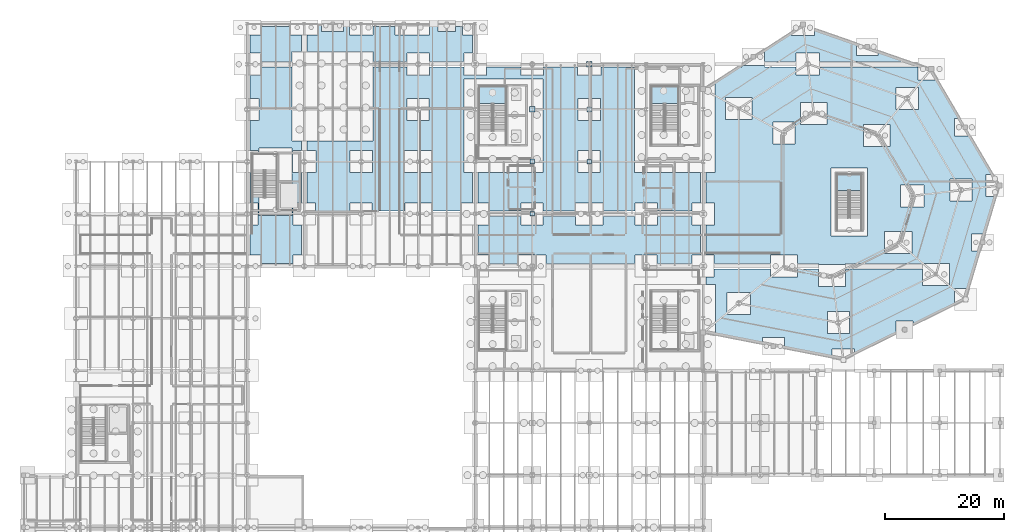
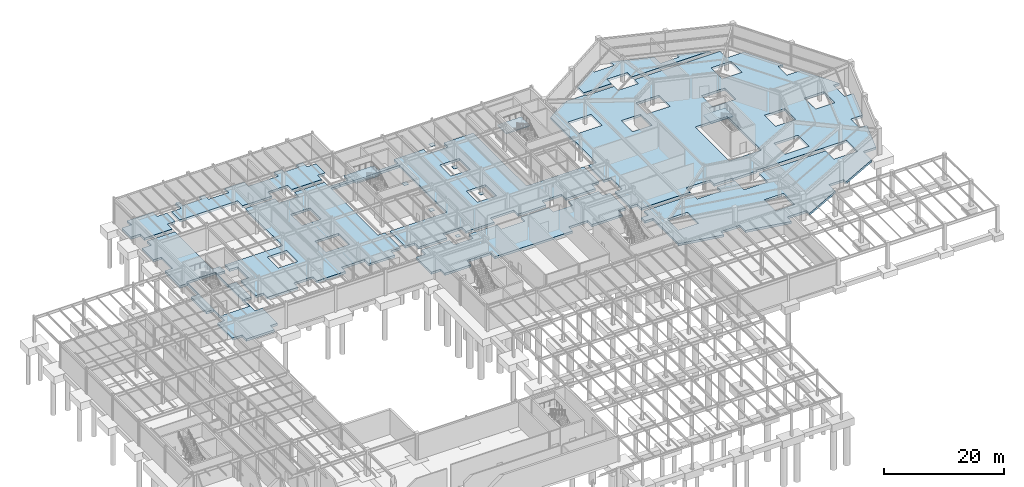
# One storey, part 25 of 48: 11 slabs, 6 plates, 3 elements without a shape of their own.
"""IFC4 building model written with IfcOpenShell, lengths in metres."""

import ifcopenshell
import ifcopenshell.guid

model = None  # the IFC model being written
_history = None  # IfcOwnerHistory: only IFC2X3 demands one
_inside = {}  # id of a spatial element -> (the spatial element, [elements in it])
_under = {}  # id of a project, library or spatial element -> (it, [spatial elements below it])
_declared = {}  # id of a project -> (the project, [libraries it declares])
_typed = {}  # id of a type object -> (the type object, [elements of that type])
_made_of = {}  # id of a material, layer set ... -> (it, [elements and type objects made of it])


def new_model(schema):
    """Start an empty IFC model of exactly this schema.

    Asked for "IFC4X3", IfcOpenShell would pick the latest addendum, in which some entities
    have other attributes; the version numbers below select the first issue.
    IFC2X3 requires an IfcOwnerHistory on every rooted entity: one is made here for all.
    """
    global model, _history
    if schema == "IFC4X3":
        model = ifcopenshell.file(schema_version=(4, 3, 0, 0))
    else:
        model = ifcopenshell.file(schema=schema)
    _inside.clear()
    _under.clear()
    _declared.clear()
    _typed.clear()
    _made_of.clear()
    _history = None
    if model.schema == "IFC2X3":
        org = make("IfcOrganization", Name="unknown")
        user = make(
            "IfcPersonAndOrganization",
            ThePerson=make("IfcPerson", FamilyName="unknown"),
            TheOrganization=org,
        )
        app = make(
            "IfcApplication",
            ApplicationDeveloper=org,
            Version="unknown",
            ApplicationFullName="unknown",
            ApplicationIdentifier="unknown",
        )
        _history = make(
            "IfcOwnerHistory",
            OwningUser=user,
            OwningApplication=app,
            ChangeAction="ADDED",
            CreationDate=0,
        )
    return model


def make(cls, **values):
    """One entity of the class cls with the attributes given. An attribute that is None is left unset."""
    return model.create_entity(
        cls, **{name: value for name, value in values.items() if value is not None}
    )


def rooted(cls, **values):
    """An entity with a GlobalId (a new one), such as an element, a storey or a relation."""
    return make(cls, GlobalId=ifcopenshell.guid.new(), OwnerHistory=_history, **values)


def si_unit(unit_type, name, prefix=None):
    """IfcSIUnit, for example si_unit("LENGTHUNIT", "METRE", prefix="MILLI")."""
    return make("IfcSIUnit", UnitType=unit_type, Prefix=prefix, Name=name)


def assignment(units):
    """IfcUnitAssignment: the units of a project."""
    return None if units is None else make("IfcUnitAssignment", Units=units)


def point(xyz):
    """IfcCartesianPoint."""
    return None if xyz is None else make("IfcCartesianPoint", Coordinates=xyz)


def direction(xyz):
    """IfcDirection."""
    return None if xyz is None else make("IfcDirection", DirectionRatios=xyz)


def frame(location, z_axis=None, x_axis=None):
    """IfcAxis2Placement3D, a coordinate frame: its origin and axes. An axis left out is left unset."""
    return make(
        "IfcAxis2Placement3D",
        Location=point(location),
        Axis=direction(z_axis),
        RefDirection=direction(x_axis),
    )


def frame_2d(location, x_axis=None):
    """IfcAxis2Placement2D, a coordinate frame in the plane: its origin and x axis."""
    return make(
        "IfcAxis2Placement2D", Location=point(location), RefDirection=direction(x_axis)
    )


def origin():
    """The frame at (0, 0, 0) with its axes left unset."""
    return frame((0.0, 0.0, 0.0))


def origin_2d():
    """The frame at (0, 0) in the plane with its x axis left unset."""
    return frame_2d((0.0, 0.0))


def place(relative_to, where):
    """IfcLocalPlacement: puts the frame where relative to a parent placement (None: the world)."""
    return make(
        "IfcLocalPlacement", PlacementRelTo=relative_to, RelativePlacement=where
    )


def context(
    kind, dimensions, precision=None, world=None, true_north=None, identifier=None
):
    """IfcGeometricRepresentationContext, for example the 3D "Model" context."""
    return make(
        "IfcGeometricRepresentationContext",
        ContextIdentifier=identifier,
        ContextType=kind,
        CoordinateSpaceDimension=dimensions,
        Precision=precision,
        WorldCoordinateSystem=world,
        TrueNorth=true_north,
    )


def subcontext(parent, identifier, kind, view, scale=None):
    """IfcGeometricRepresentationSubContext, for example "Body" below "Model"."""
    return make(
        "IfcGeometricRepresentationSubContext",
        ContextIdentifier=identifier,
        ContextType=kind,
        ParentContext=parent,
        TargetScale=scale,
        TargetView=view,
    )


def project(units=None, contexts=None):
    """IfcProject with its units and contexts."""
    return rooted(
        "IfcProject",
        Name="project",
        RepresentationContexts=contexts,
        UnitsInContext=assignment(units),
    )


def spatial(cls, under=None, at=None, **own):
    """A site, building, storey or space (cls), placed at a placement, below another one or the project."""
    s = rooted(cls, ObjectPlacement=at, **own)
    if under is not None:
        _under.setdefault(under.id(), (under, []))[1].append(s)
    return s


def polyline(points):
    """IfcPolyline through the points."""
    return make("IfcPolyline", Points=[point(p) for p in points])


def profile(cls, at=None, kind="AREA", **sizes):
    """A parametric profile (cls). Its sizes go by their IFC names, for example OverallWidth=200.0."""
    return make(cls, ProfileType=kind, Position=at, **sizes)


def rectangle(**sizes):
    """IfcRectangleProfileDef."""
    return profile("IfcRectangleProfileDef", **sizes)


def outline(outer, holes=None, kind="AREA"):
    """IfcArbitraryClosedProfileDef: a profile drawn as a closed curve; with holes, ...WithVoids."""
    if holes is None:
        return make("IfcArbitraryClosedProfileDef", ProfileType=kind, OuterCurve=outer)
    return make(
        "IfcArbitraryProfileDefWithVoids",
        ProfileType=kind,
        OuterCurve=outer,
        InnerCurves=holes,
    )


def extrude(swept, where, along, depth):
    """IfcExtrudedAreaSolid: the profile swept, set in the frame where, extruded along a direction by depth."""
    return make(
        "IfcExtrudedAreaSolid",
        SweptArea=swept,
        Position=where,
        ExtrudedDirection=direction(along),
        Depth=depth,
    )


def shape(context_of_items, identifier, shape_type, items):
    """IfcShapeRepresentation: the items that make up one representation, for example the "Body"."""
    return make(
        "IfcShapeRepresentation",
        ContextOfItems=context_of_items,
        RepresentationIdentifier=identifier,
        RepresentationType=shape_type,
        Items=items,
    )


def material(Name=None, Category=None):
    """IfcMaterial."""
    return make("IfcMaterial", Name=Name, Category=Category)


def layer(
    of_material, thickness, ventilated=None, Name=None, Category=None, Priority=None
):
    """IfcMaterialLayer: one layer of a wall or slab, of a material (None: an air gap)."""
    return make(
        "IfcMaterialLayer",
        Material=of_material,
        LayerThickness=thickness,
        IsVentilated=ventilated,
        Name=Name,
        Category=Category,
        Priority=Priority,
    )


def layer_set(layers, Name=None):
    """IfcMaterialLayerSet."""
    return make("IfcMaterialLayerSet", MaterialLayers=layers, LayerSetName=Name)


def made_of(thing, what):
    """Note that an element or type object is made of a material, layer set ...; save() writes the relation."""
    if what is not None:
        _made_of.setdefault(what.id(), (what, []))[1].append(thing)
    return thing


def type_object(cls, material=None, **own):
    """A type object (cls), such as IfcWallType, which elements share."""
    return made_of(rooted(cls, **own), material)


def element(
    cls,
    number,
    at=None,
    inside=None,
    cuts=None,
    type_object=None,
    material=None,
    context=None,
    identifier="Body",
    shape_type=None,
    held_by="IfcProductDefinitionShape",
    body=None,
    shapes=None,
    **own,
):
    """One element of the class cls, such as IfcWall. Its Tag is "e" and its number.

    at: its placement. inside: the storey or other place that contains it. cuts: it is an
    opening in that element (IfcRelVoidsElement). A single representation is given by context,
    identifier, shape_type and body (its items); several are given by shapes. held_by: the class
    of the entity that holds the representations. save() writes the other relations.
    """
    e = rooted(cls, Tag="e%d" % number, ObjectPlacement=at, **own)
    if body is not None:
        shapes = [shape(context, identifier, shape_type, body)]
    if shapes is not None:
        e.Representation = make(held_by, Representations=shapes)
    if inside is not None:
        _inside.setdefault(inside.id(), (inside, []))[1].append(e)
    if cuts is not None:
        rooted(
            "IfcRelVoidsElement", RelatingBuildingElement=cuts, RelatedOpeningElement=e
        )
    if type_object is not None:
        _typed.setdefault(type_object.id(), (type_object, []))[1].append(e)
    return made_of(e, material)


def aggregate(whole, parts):
    """IfcRelAggregates: a whole, such as a stair, and the parts it consists of."""
    return rooted("IfcRelAggregates", RelatingObject=whole, RelatedObjects=parts)


def save(model, path):
    """Write the relations noted so far, then the file.

    IfcRelAggregates (storeys below a building ...), IfcRelContainedInSpatialStructure (elements
    in a storey), IfcRelDefinesByType, IfcRelAssociatesMaterial and IfcRelDeclares: one each for
    every whole, place, type object, material and project.
    """
    for whole, parts in _under.values():
        aggregate(whole, parts)
    for where, things in _inside.values():
        rooted(
            "IfcRelContainedInSpatialStructure",
            RelatedElements=things,
            RelatingStructure=where,
        )
    for kind, things in _typed.values():
        rooted("IfcRelDefinesByType", RelatedObjects=things, RelatingType=kind)
    for what, things in _made_of.values():
        rooted("IfcRelAssociatesMaterial", RelatedObjects=things, RelatingMaterial=what)
    for by, libraries in _declared.values():
        rooted("IfcRelDeclares", RelatingContext=by, RelatedDefinitions=libraries)
    model.write(path)


model = new_model("IFC4")

# Units and contexts
model_context = context("Model", 3, precision=1e-05, world=origin(), true_north=direction((0.0, 1.0)))
body_context = subcontext(model_context, "Body", "Model", "MODEL_VIEW")
ifc_project = project(units=[si_unit("LENGTHUNIT", "METRE"), si_unit("AREAUNIT", "SQUARE_METRE"), si_unit("VOLUMEUNIT", "CUBIC_METRE"), si_unit("PLANEANGLEUNIT", "RADIAN"), si_unit("MASSUNIT", "GRAM", prefix="KILO")], contexts=[model_context])

# Site, building, storey
site_placement = place(None, origin())
site = spatial("IfcSite", under=ifc_project, at=site_placement, CompositionType="ELEMENT")
building_placement = place(site_placement, origin())
building = spatial("IfcBuilding", under=site, at=building_placement, Name="Sarnbrook Museum", CompositionType="ELEMENT")
storey_placement = place(building_placement, frame((0.0, 0.0, -5.39990234375)))
storey = spatial("IfcBuildingStorey", under=building, at=storey_placement, Name="B1", CompositionType="ELEMENT", Elevation=-5.39990234375)

# Slabs
ifc_material_1 = material(Name="Concrete N40 (AS 3600, f'c = 40 MPa)", Category="concrete")
ifc_layer_1 = layer(ifc_material_1, 0.449951171875)
ifc_layer_set_1 = layer_set([ifc_layer_1], Name="Concrete N40 (AS 3600, f'c = 40 MPa)")
slab_type_1 = type_object("IfcSlabType", Name="BaseSlab_450", PredefinedType="BASESLAB", material=ifc_layer_set_1)
slab_1_placement = place(storey_placement, frame((0.0, 0.0, -0.4501953125)))
element("IfcSlab", 1, at=slab_1_placement, inside=storey, type_object=slab_type_1, Name="V2 Structural Slab B1", PredefinedType="BASESLAB", context=body_context, shape_type="SweptSolid", body=[
    extrude(outline(polyline([(82.705078125, 106.544921875), (82.705078125, 107.945068359375), (88.4951171875, 107.945068359375), (88.4951171875, 106.544921875), (92.304931640625, 106.544921875), (92.304931640625, 107.945068359375), (98.044921875, 107.945068359375), (98.044921875, 106.544921875), (101.955078125, 106.544921875), (101.955078125, 107.945068359375), (107.64501953125, 107.945068359375), (107.64501953125, 90.14501953125), (118.7451171875, 90.14501953125), (118.7451171875, 85.054931640625), (117.294921875, 85.054931640625), (117.294921875, 83.655029296875), (111.5048828125, 83.655029296875), (111.5048828125, 85.054931640625), (107.695068359375, 85.054931640625), (107.695068359375, 83.655029296875), (102.304931640625, 83.655029296875), (102.304931640625, 85.054931640625), (97.695068359375, 85.054931640625), (97.695068359375, 83.655029296875), (92.2548828125, 83.655029296875), (92.2548828125, 85.054931640625), (88.544921875, 85.054931640625), (88.544921875, 83.655029296875), (83.10498046875, 83.655029296875), (83.10498046875, 85.054931640625), (81.2548828125, 85.054931640625), (81.2548828125, 90.14501953125), (92.2548828125, 90.14501953125), (92.2548828125, 105.905029296875), (80.8349609375, 105.905029296875), (80.8349609375, 106.544921875), (82.705078125, 106.544921875)]), holes=[polyline([(101.85498046875, 90.14501953125), (98.14501953125, 90.14501953125), (98.14501953125, 93.85498046875), (101.85498046875, 93.85498046875), (101.85498046875, 90.14501953125)]), polyline([(101.905029296875, 98.945068359375), (98.094970703125, 98.945068359375), (98.094970703125, 102.655029296875), (101.905029296875, 102.655029296875), (101.905029296875, 98.945068359375)])]), origin(), (0.0, 0.0, 1.0), 0.4501953125),
])
slab_2_placement = place(storey_placement, frame((0.0, 0.0, -0.4501953125)))
element("IfcSlab", 2, at=slab_2_placement, inside=storey, type_object=slab_type_1, Name="V2 Structural Slab B1 Bay 3", PredefinedType="BASESLAB", context=body_context, shape_type="SweptSolid", body=[
    extrude(outline(polyline([(97.695068359375, 82.7451171875), (97.695068359375, 81.344970703125), (102.304931640625, 81.344970703125), (102.304931640625, 82.7451171875), (107.695068359375, 82.7451171875), (107.695068359375, 81.344970703125), (111.5048828125, 81.344970703125), (111.5048828125, 82.7451171875), (117.294921875, 82.7451171875), (117.294921875, 81.344970703125), (118.7451171875, 81.344970703125), (118.7451171875, 76.2548828125), (117.344970703125, 76.2548828125), (117.344970703125, 74.85498046875), (111.455078125, 74.85498046875), (111.455078125, 76.2548828125), (107.7451171875, 76.2548828125), (107.7451171875, 74.85498046875), (92.705078125, 74.85498046875), (92.705078125, 76.2548828125), (88.094970703125, 76.2548828125), (88.094970703125, 74.85498046875), (83.054931640625, 74.85498046875), (83.054931640625, 76.2548828125), (81.2548828125, 76.2548828125), (81.2548828125, 81.344970703125), (83.10498046875, 81.344970703125), (83.10498046875, 82.7451171875), (88.544921875, 82.7451171875), (88.544921875, 81.344970703125), (92.2548828125, 81.344970703125), (92.2548828125, 82.7451171875), (97.695068359375, 82.7451171875)])), origin(), (0.0, 0.0, 1.0), 0.4501953125),
])
ifc_layer_2 = layer(ifc_material_1, 0.4599609375)
ifc_layer_set_2 = layer_set([ifc_layer_2], Name="Concrete N40 (AS 3600, f'c = 40 MPa)")
slab_type_2 = type_object("IfcSlabType", Name="BaseSlab_460", PredefinedType="BASESLAB", material=ifc_layer_set_2)
slab_3_placement = place(storey_placement, frame((0.0, 0.0, -0.460205078125)))
element("IfcSlab", 3, at=slab_3_placement, inside=storey, type_object=slab_type_2, Name="V1 Structural Slab B1", PredefinedType="BASESLAB", context=body_context, shape_type="SweptSolid", body=[
    extrude(outline(polyline([(162.496337890625, 99.2548828125), (161.544921875, 99.2548828125), (161.544921875, 96.344970703125), (164.20361328125, 96.344970703125), (168.01171875, 89.85498046875), (166.794921875, 89.85498046875), (166.794921875, 86.14501953125), (168.54931640625, 86.14501953125), (166.681884765625, 79.85498046875), (164.39501953125, 79.85498046875), (164.39501953125, 76.945068359375), (165.818115234375, 76.945068359375), (163.95068359375, 70.655029296875), (161.4951171875, 70.655029296875), (161.4951171875, 67.856689453125), (154.554931640625, 64.42041015625), (154.554931640625, 65.155029296875), (151.64501953125, 65.155029296875), (151.64501953125, 62.9794921875), (144.705078125, 59.543212890625), (144.705078125, 60.455078125), (140.89501953125, 60.455078125), (140.89501953125, 58.97119140625), (132.85498046875, 60.538330078125), (132.85498046875, 62.35498046875), (129.14501953125, 62.35498046875), (129.14501953125, 61.26171875), (121.2548828125, 62.79931640625), (121.2548828125, 71.304931640625), (119.655029296875, 71.304931640625), (119.655029296875, 72.544921875), (121.054931640625, 72.544921875), (121.054931640625, 73.945068359375), (130.4951171875, 73.945068359375), (130.4951171875, 72.550048828125), (135.10498046875, 72.550048828125), (135.10498046875, 73.945068359375), (138.58203125, 73.945068359375), (138.58203125, 70.97412109375), (143.19189453125, 70.97412109375), (143.19189453125, 73.945068359375), (156.087890625, 73.945068359375), (156.087890625, 71.160888671875), (160.697998046875, 71.160888671875), (160.697998046875, 74.87109375), (156.087890625, 74.87109375), (156.087890625, 74.85498046875), (143.181884765625, 74.85498046875), (143.181884765625, 74.68408203125), (138.592041015625, 74.68408203125), (138.592041015625, 74.85498046875), (135.10498046875, 74.85498046875), (135.10498046875, 76.260009765625), (130.4951171875, 76.260009765625), (130.4951171875, 74.85498046875), (121.054931640625, 74.85498046875), (121.054931640625, 76.2548828125), (119.655029296875, 76.2548828125), (119.655029296875, 81.344970703125), (121.10498046875, 81.344970703125), (121.10498046875, 85.054931640625), (119.655029296875, 85.054931640625), (119.655029296875, 90.14501953125), (121.155029296875, 90.14501953125), (121.155029296875, 105.468505859375), (124.97216796875, 107.945068359375), (125.705078125, 107.945068359375), (125.705078125, 108.195068359375), (129.4951171875, 108.195068359375), (129.4951171875, 107.945068359375), (134.84912109375, 107.945068359375), (134.84912109375, 106.614013671875), (138.759033203125, 106.614013671875), (138.759033203125, 107.945068359375), (155.344970703125, 107.945068359375), (155.344970703125, 105.7451171875), (158.6884765625, 105.7451171875), (162.496337890625, 99.2548828125)]), holes=[polyline([(143.81103515625, 66.73193359375), (143.81103515625, 63.02197265625), (140.10107421875, 63.02197265625), (140.10107421875, 66.73193359375), (143.81103515625, 66.73193359375)]), polyline([(127.155029296875, 66.2880859375), (123.2451171875, 66.2880859375), (123.2451171875, 69.998046875), (127.155029296875, 69.998046875), (127.155029296875, 66.2880859375)]), polyline([(146.905029296875, 79.4951171875), (140.695068359375, 79.4951171875), (140.695068359375, 90.905029296875), (146.905029296875, 90.905029296875), (146.905029296875, 79.4951171875)]), polyline([(130.945068359375, 94.95703125), (130.945068359375, 98.6669921875), (134.655029296875, 98.6669921875), (134.655029296875, 94.95703125), (130.945068359375, 94.95703125)]), polyline([(140.076904296875, 98.216064453125), (135.56689453125, 98.216064453125), (135.56689453125, 101.926025390625), (140.076904296875, 101.926025390625), (140.076904296875, 98.216064453125)]), polyline([(127.455078125, 99.0859375), (122.945068359375, 99.0859375), (122.945068359375, 102.7958984375), (127.455078125, 102.7958984375), (127.455078125, 99.0859375)]), polyline([(154.35498046875, 76.5009765625), (149.7451171875, 76.5009765625), (149.7451171875, 80.2109375), (154.35498046875, 80.2109375), (154.35498046875, 76.5009765625)]), polyline([(156.3369140625, 84.35498046875), (152.427001953125, 84.35498046875), (152.427001953125, 88.06494140625), (156.3369140625, 88.06494140625), (156.3369140625, 84.35498046875)]), polyline([(164.4619140625, 89.06494140625), (164.4619140625, 85.35498046875), (160.751953125, 85.35498046875), (160.751953125, 89.06494140625), (164.4619140625, 89.06494140625)]), polyline([(146.15087890625, 94.541015625), (146.15087890625, 98.2509765625), (150.660888671875, 98.2509765625), (150.660888671875, 94.541015625), (146.15087890625, 94.541015625)]), polyline([(155.448974609375, 100.802001953125), (151.638916015625, 100.802001953125), (151.638916015625, 104.511962890625), (155.448974609375, 104.511962890625), (155.448974609375, 100.802001953125)])]), origin(), (0.0, 0.0, 1.0), 0.460205078125),
])
slab_4_placement = place(storey_placement, frame((0.0, 0.0, -0.460205078125)))
element("IfcSlab", 4, at=slab_4_placement, inside=storey, type_object=slab_type_2, Name="V1 Structural Slab B1 Bay 2", PredefinedType="BASESLAB", context=body_context, shape_type="SweptSolid", body=[
    extrude(outline(polyline([(144.9951171875, 111.976806640625), (144.9951171875, 109.89501953125), (148.60498046875, 109.89501953125), (148.60498046875, 110.723388671875), (153.985595703125, 108.85498046875), (138.759033203125, 108.85498046875), (138.759033203125, 110.323974609375), (134.84912109375, 110.323974609375), (134.84912109375, 108.85498046875), (129.5048828125, 108.85498046875), (129.5048828125, 110.885986328125), (134.094970703125, 113.864013671875), (134.094970703125, 113.2451171875), (137.905029296875, 113.2451171875), (137.905029296875, 114.4384765625), (144.9951171875, 111.976806640625)])), origin(), (0.0, 0.0, 1.0), 0.460205078125),
])
ifc_layer_3 = layer(ifc_material_1, 0.469970703125)
ifc_layer_set_3 = layer_set([ifc_layer_3], Name="Concrete N40 (AS 3600, f'c = 40 MPa)")
slab_type_3 = type_object("IfcSlabType", Name="BaseSlab_470", PredefinedType="BASESLAB", material=ifc_layer_set_3)
slab_5_placement = place(storey_placement, frame((0.0, 0.0, -0.47021484375)))
element("IfcSlab", 5, at=slab_5_placement, inside=storey, type_object=slab_type_3, Name="V5N Structural Slab B1", PredefinedType="BASESLAB", context=body_context, shape_type="SweptSolid", body=[
    extrude(outline(polyline([(44.655029296875, 107.945068359375), (49.9951171875, 107.945068359375), (49.9951171875, 95.445068359375), (51.544921875, 95.445068359375), (51.544921875, 93.85498046875), (50.044921875, 93.85498046875), (50.044921875, 90.14501953125), (51.544921875, 90.14501953125), (51.544921875, 85.054931640625), (50.094970703125, 85.054931640625), (50.094970703125, 81.344970703125), (51.544921875, 81.344970703125), (51.544921875, 76.2548828125), (50.14501953125, 76.2548828125), (50.14501953125, 74.85498046875), (44.705078125, 74.85498046875), (44.705078125, 76.2548828125), (42.85498046875, 76.2548828125), (42.85498046875, 81.344970703125), (44.2548828125, 81.344970703125), (44.2548828125, 85.054931640625), (42.85498046875, 85.054931640625), (42.85498046875, 90.14501953125), (44.304931640625, 90.14501953125), (44.304931640625, 93.85498046875), (42.85498046875, 93.85498046875), (42.85498046875, 98.945068359375), (44.35498046875, 98.945068359375), (44.35498046875, 102.655029296875), (42.85498046875, 102.655029296875), (42.85498046875, 106.544921875), (44.655029296875, 106.544921875), (44.655029296875, 107.945068359375)]), holes=[polyline([(44.35498046875, 94.304931640625), (49.9951171875, 94.304931640625), (49.9951171875, 93.9951171875), (49.905029296875, 93.9951171875), (49.905029296875, 90.0048828125), (49.9951171875, 90.0048828125), (49.9951171875, 85.195068359375), (49.955078125, 85.195068359375), (49.955078125, 82.89501953125), (44.39501953125, 82.89501953125), (44.39501953125, 85.195068359375), (44.35498046875, 85.195068359375), (44.35498046875, 90.0048828125), (44.445068359375, 90.0048828125), (44.445068359375, 93.9951171875), (44.35498046875, 93.9951171875), (44.35498046875, 94.304931640625)])]), origin(), (0.0, 0.0, 1.0), 0.47021484375),
])
slab_6_placement = place(storey_placement, frame((0.0, 0.0, -0.47021484375)))
element("IfcSlab", 6, at=slab_6_placement, inside=storey, type_object=slab_type_3, Name="V5N Structural Slab B1 Bay 2", PredefinedType="BASESLAB", context=body_context, shape_type="SweptSolid", body=[
    extrude(outline(polyline([(44.705078125, 114.7451171875), (49.695068359375, 114.7451171875), (49.695068359375, 113.344970703125), (51.544921875, 113.344970703125), (51.544921875, 110.5048828125), (49.9951171875, 110.5048828125), (49.9951171875, 108.85498046875), (44.655029296875, 108.85498046875), (44.655029296875, 110.2548828125), (42.85498046875, 110.2548828125), (42.85498046875, 113.344970703125), (44.705078125, 113.344970703125), (44.705078125, 114.7451171875)])), origin(), (0.0, 0.0, 1.0), 0.47021484375),
])
slab_7_placement = place(storey_placement, frame((0.0, 0.0, -0.47021484375)))
element("IfcSlab", 7, at=slab_7_placement, inside=storey, type_object=slab_type_3, Name="V5N Structural Slab B1 Bay 4", PredefinedType="BASESLAB", context=body_context, shape_type="SweptSolid", body=[
    extrude(outline(polyline([(78.945068359375, 105.905029296875), (78.945068359375, 90.14501953125), (80.344970703125, 90.14501953125), (80.344970703125, 85.054931640625), (78.4951171875, 85.054931640625), (78.4951171875, 83.655029296875), (73.455078125, 83.655029296875), (73.455078125, 85.054931640625), (68.945068359375, 85.054931640625), (68.945068359375, 83.655029296875), (63.455078125, 83.655029296875), (63.455078125, 85.054931640625), (59.7451171875, 85.054931640625), (59.7451171875, 83.655029296875), (53.905029296875, 83.655029296875), (53.905029296875, 85.054931640625), (52.455078125, 85.054931640625), (52.455078125, 90.14501953125), (53.955078125, 90.14501953125), (53.955078125, 93.85498046875), (52.455078125, 93.85498046875), (52.455078125, 95.445068359375), (63.60498046875, 95.445068359375), (63.60498046875, 107.945068359375), (69.294921875, 107.945068359375), (69.294921875, 106.544921875), (73.10498046875, 106.544921875), (73.10498046875, 107.945068359375), (78.89501953125, 107.945068359375), (78.89501953125, 106.544921875), (80.764892578125, 106.544921875), (80.764892578125, 105.905029296875), (78.945068359375, 105.905029296875)]), holes=[polyline([(63.5048828125, 90.14501953125), (59.695068359375, 90.14501953125), (59.695068359375, 93.85498046875), (63.5048828125, 93.85498046875), (63.5048828125, 90.14501953125)]), polyline([(68.89501953125, 93.85498046875), (73.5048828125, 93.85498046875), (73.5048828125, 90.14501953125), (68.89501953125, 90.14501953125), (68.89501953125, 93.85498046875)]), polyline([(69.344970703125, 98.945068359375), (69.344970703125, 102.655029296875), (73.054931640625, 102.655029296875), (73.054931640625, 98.945068359375), (69.344970703125, 98.945068359375)])]), origin(), (0.0, 0.0, 1.0), 0.47021484375),
])
slab_8_placement = place(storey_placement, frame((0.0, 0.0, -0.47021484375)))
element("IfcSlab", 8, at=slab_8_placement, inside=storey, type_object=slab_type_3, Name="V5N Structural Slab B1 Bay 5", PredefinedType="BASESLAB", context=body_context, shape_type="SweptSolid", body=[
    extrude(outline(polyline([(54.945068359375, 113.925048828125), (58.655029296875, 113.925048828125), (58.655029296875, 114.7451171875), (59.64501953125, 114.7451171875), (59.64501953125, 113.344970703125), (63.554931640625, 113.344970703125), (63.554931640625, 114.7451171875), (67.294921875, 114.7451171875), (67.294921875, 113.344970703125), (73.10498046875, 113.344970703125), (73.10498046875, 114.7451171875), (74.544921875, 114.7451171875), (74.544921875, 113.925048828125), (77.455078125, 113.925048828125), (77.455078125, 114.7451171875), (78.64501953125, 114.7451171875), (78.64501953125, 113.344970703125), (80.344970703125, 113.344970703125), (80.344970703125, 110.2548828125), (78.89501953125, 110.2548828125), (78.89501953125, 108.85498046875), (73.10498046875, 108.85498046875), (73.10498046875, 110.2548828125), (69.294921875, 110.2548828125), (69.294921875, 108.85498046875), (63.60498046875, 108.85498046875), (63.60498046875, 110.5048828125), (52.455078125, 110.5048828125), (52.455078125, 113.344970703125), (54.304931640625, 113.344970703125), (54.304931640625, 115.199951171875), (54.945068359375, 115.199951171875), (54.945068359375, 113.925048828125)])), origin(), (0.0, 0.0, 1.0), 0.47021484375),
])

# Stair, slab
stair_type_1 = type_object("IfcStairType", Name="Stair_ST01", PredefinedType="HALF_TURN_STAIR", material=ifc_material_1)
stair_1_placement = place(storey_placement, origin())
stair_1 = element("IfcStair", 9, at=stair_1_placement, inside=storey, type_object=stair_type_1, Name="B1 Exit Stair ST2", PredefinedType="HALF_TURN_STAIR")
ifc_layer_4 = layer(ifc_material_1, 0.199951171875)
ifc_layer_set_4 = layer_set([ifc_layer_4], Name="Concrete N40 (AS 3600, f'c = 40 MPa)")
slab_type_4 = type_object("IfcSlabType", Name="Landing_200", PredefinedType="LANDING", material=ifc_layer_set_4)
slab_9_placement = place(storey_placement, frame((0.0, 0.0, 2.5)))
slab_9 = element("IfcSlab", 10, at=slab_9_placement, type_object=slab_type_4, Name="ST2 landing 1", PredefinedType="LANDING", context=body_context, shape_type="SweptSolid", body=[
    extrude(outline(polyline([(115.06005859375, 101.760009765625), (115.06005859375, 104.699951171875), (110.43994140625, 104.699951171875), (110.43994140625, 101.760009765625), (115.06005859375, 101.760009765625)])), origin(), (0.0, 0.0, 1.0), 0.199951171875),
])
aggregate(stair_1, [slab_9])

stair_2_placement = place(storey_placement, origin())
stair_2 = element("IfcStair", 11, at=stair_2_placement, inside=storey, type_object=stair_type_1, Name="B1 Exit Stair ST4", PredefinedType="HALF_TURN_STAIR")
slab_10_placement = place(storey_placement, frame((0.0, 0.0, 2.5)))
slab_10 = element("IfcSlab", 12, at=slab_10_placement, type_object=slab_type_4, Name="ST4 landing 1", PredefinedType="LANDING", context=body_context, shape_type="SweptSolid", body=[
    extrude(outline(polyline([(86.06005859375, 101.760009765625), (86.06005859375, 104.699951171875), (81.43994140625, 104.699951171875), (81.43994140625, 101.760009765625), (86.06005859375, 101.760009765625)])), origin(), (0.0, 0.0, 1.0), 0.199951171875),
])
aggregate(stair_2, [slab_10])

stair_type_2 = type_object("IfcStairType", Name="Stair_ST05", PredefinedType="HALF_TURN_STAIR", material=ifc_material_1)
stair_3_placement = place(storey_placement, origin())
stair_3 = element("IfcStair", 13, at=stair_3_placement, inside=storey, type_object=stair_type_2, Name="B1 Exit Stair ST7", PredefinedType="HALF_TURN_STAIR")
slab_11_placement = place(storey_placement, frame((0.0, 0.0, 2.5)))
slab_11 = element("IfcSlab", 14, at=slab_11_placement, type_object=slab_type_4, Name="ST7 landing 1", PredefinedType="LANDING", context=body_context, shape_type="SweptSolid", body=[
    extrude(outline(polyline([(145.89990234375, 87.159912109375), (145.89990234375, 89.89990234375), (141.699951171875, 89.89990234375), (141.699951171875, 87.159912109375), (145.89990234375, 87.159912109375)])), origin(), (0.0, 0.0, 1.0), 0.199951171875),
])
aggregate(stair_3, [slab_11])

# Plates
ifc_material_2 = material(Name="Structural Steel Grade 350L0 (AS/NZS 3678, fy = 340 MPa for 20 < t <= 40 mm)", Category="steel")
ifc_layer_5 = layer(ifc_material_2, 0.0380859375)
ifc_layer_set_5 = layer_set([ifc_layer_5], Name="Structural Steel Grade 350L0 (AS/NZS 3678, fy = 340 MPa for 20 < t <= 40 mm)")
plate_type_1 = type_object("IfcPlateType", Name="SheetPlate_BP4", PredefinedType="SHEET", material=ifc_layer_set_5)
for number, where, z_axis, x_axis, name in (
    (15, (90.39990234375, 83.199951171875, -0.000244140625), (0.0, 0.0, 1.0), (1.0, 0.0, 0.0), "Column Base Plate 10-K"),
    (16, (100.0, 92.0, -0.000244140625), (0.0, 0.0, 1.0), (1.0, 0.0, 0.0), "Column Base Plate 11-L"),
):
    element("IfcPlate", number, at=place(storey_placement, frame(where, z_axis=z_axis, x_axis=x_axis)), inside=storey, type_object=plate_type_1, Name=name, PredefinedType="SHEET", context=body_context, shape_type="SweptSolid", body=[
        extrude(rectangle(XDim=0.75, YDim=0.75, at=origin_2d()), origin(), (0.0, 0.0, 1.0), 0.0380859375),
    ])
ifc_layer_6 = layer(ifc_material_2, 0.0400390625)
ifc_layer_set_6 = layer_set([ifc_layer_6], Name="Structural Steel Grade 350L0 (AS/NZS 3678, fy = 340 MPa for 20 < t <= 40 mm)")
plate_type_2 = type_object("IfcPlateType", Name="SheetPlate_BP5", PredefinedType="SHEET", material=ifc_layer_set_6)
for number, where, z_axis, x_axis, name in (
    (17, (90.39990234375, 92.0, 0.0), (0.0, 0.0, 1.0), (1.0, 0.0, 0.0), "Column Base Plate 10-L"),
    (18, (100.0, 100.800048828125, 0.0), (0.0, 0.0, 1.0), (1.0, 0.0, 0.0), "Column Base Plate 11-M"),
):
    element("IfcPlate", number, at=place(storey_placement, frame(where, z_axis=z_axis, x_axis=x_axis)), inside=storey, type_object=plate_type_2, Name=name, PredefinedType="SHEET", context=body_context, shape_type="SweptSolid", body=[
        extrude(rectangle(XDim=0.820068359375, YDim=0.820068359375, at=origin_2d()), origin(), (0.0, 0.0, 1.0), 0.0400390625),
    ])
ifc_layer_7 = layer(ifc_material_2, 0.0400390625)
ifc_layer_set_7 = layer_set([ifc_layer_7], Name="Structural Steel Grade 350L0 (AS/NZS 3678, fy = 340 MPa for 20 < t <= 40 mm)")
plate_type_3 = type_object("IfcPlateType", Name="SheetPlate_BP6", PredefinedType="SHEET", material=ifc_layer_set_7)
for number, where, z_axis, x_axis, name in (
    (19, (90.39990234375, 100.800048828125, 0.0), (0.0, 0.0, 1.0), (1.0, 0.0, 0.0), "Column Base Plate 10-M"),
    (20, (100.0, 108.39990234375, 0.0), (0.0, 0.0, 1.0), (1.0, 0.0, 0.0), "Column Base Plate 11-N"),
):
    element("IfcPlate", number, at=place(storey_placement, frame(where, z_axis=z_axis, x_axis=x_axis)), inside=storey, type_object=plate_type_3, Name=name, PredefinedType="SHEET", context=body_context, shape_type="SweptSolid", body=[
        extrude(rectangle(XDim=0.89990234375, YDim=0.89990234375, at=origin_2d()), origin(), (0.0, 0.0, 1.0), 0.0400390625),
    ])

save(model, "model.ifc")
